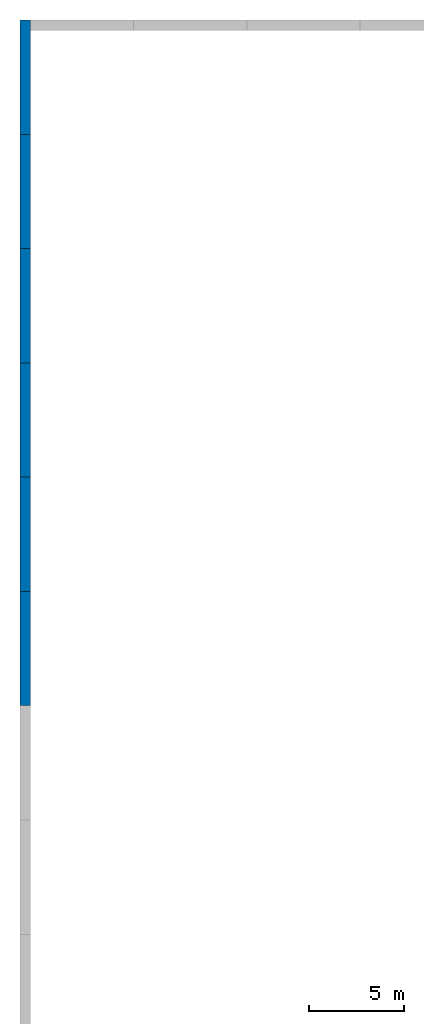
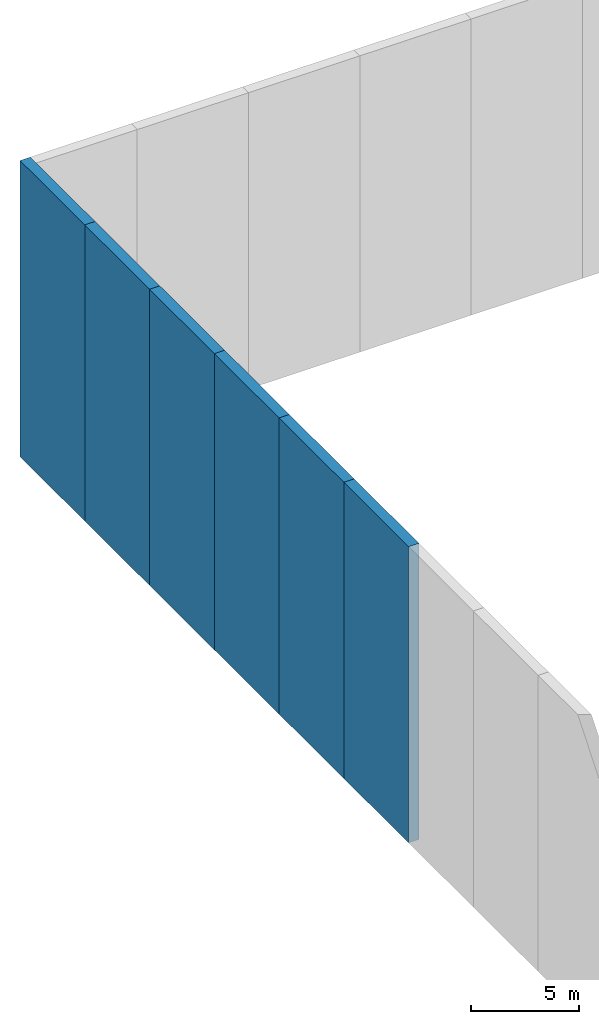
# One storey, part 75 of 142: 6 walls.
"""IFC4 building model written with IfcOpenShell, lengths in metres."""

import ifcopenshell
import ifcopenshell.guid

model = None  # the IFC model being written
_history = None  # IfcOwnerHistory: only IFC2X3 demands one
_inside = {}  # id of a spatial element -> (the spatial element, [elements in it])
_under = {}  # id of a project, library or spatial element -> (it, [spatial elements below it])
_declared = {}  # id of a project -> (the project, [libraries it declares])
_typed = {}  # id of a type object -> (the type object, [elements of that type])
_made_of = {}  # id of a material, layer set ... -> (it, [elements and type objects made of it])


def new_model(schema):
    """Start an empty IFC model of exactly this schema.

    Asked for "IFC4X3", IfcOpenShell would pick the latest addendum, in which some entities
    have other attributes; the version numbers below select the first issue.
    IFC2X3 requires an IfcOwnerHistory on every rooted entity: one is made here for all.
    """
    global model, _history
    if schema == "IFC4X3":
        model = ifcopenshell.file(schema_version=(4, 3, 0, 0))
    else:
        model = ifcopenshell.file(schema=schema)
    _inside.clear()
    _under.clear()
    _declared.clear()
    _typed.clear()
    _made_of.clear()
    _history = None
    if model.schema == "IFC2X3":
        org = make("IfcOrganization", Name="unknown")
        user = make(
            "IfcPersonAndOrganization",
            ThePerson=make("IfcPerson", FamilyName="unknown"),
            TheOrganization=org,
        )
        app = make(
            "IfcApplication",
            ApplicationDeveloper=org,
            Version="unknown",
            ApplicationFullName="unknown",
            ApplicationIdentifier="unknown",
        )
        _history = make(
            "IfcOwnerHistory",
            OwningUser=user,
            OwningApplication=app,
            ChangeAction="ADDED",
            CreationDate=0,
        )
    return model


def make(cls, **values):
    """One entity of the class cls with the attributes given. An attribute that is None is left unset."""
    return model.create_entity(
        cls, **{name: value for name, value in values.items() if value is not None}
    )


def rooted(cls, **values):
    """An entity with a GlobalId (a new one), such as an element, a storey or a relation."""
    return make(cls, GlobalId=ifcopenshell.guid.new(), OwnerHistory=_history, **values)


def si_unit(unit_type, name, prefix=None):
    """IfcSIUnit, for example si_unit("LENGTHUNIT", "METRE", prefix="MILLI")."""
    return make("IfcSIUnit", UnitType=unit_type, Prefix=prefix, Name=name)


def assignment(units):
    """IfcUnitAssignment: the units of a project."""
    return None if units is None else make("IfcUnitAssignment", Units=units)


def point(xyz):
    """IfcCartesianPoint."""
    return None if xyz is None else make("IfcCartesianPoint", Coordinates=xyz)


def direction(xyz):
    """IfcDirection."""
    return None if xyz is None else make("IfcDirection", DirectionRatios=xyz)


def frame(location, z_axis=None, x_axis=None):
    """IfcAxis2Placement3D, a coordinate frame: its origin and axes. An axis left out is left unset."""
    return make(
        "IfcAxis2Placement3D",
        Location=point(location),
        Axis=direction(z_axis),
        RefDirection=direction(x_axis),
    )


def frame_2d(location, x_axis=None):
    """IfcAxis2Placement2D, a coordinate frame in the plane: its origin and x axis."""
    return make(
        "IfcAxis2Placement2D", Location=point(location), RefDirection=direction(x_axis)
    )


def origin():
    """The frame at (0, 0, 0) with its axes left unset."""
    return frame((0.0, 0.0, 0.0))


def place(relative_to, where):
    """IfcLocalPlacement: puts the frame where relative to a parent placement (None: the world)."""
    return make(
        "IfcLocalPlacement", PlacementRelTo=relative_to, RelativePlacement=where
    )


def context(
    kind, dimensions, precision=None, world=None, true_north=None, identifier=None
):
    """IfcGeometricRepresentationContext, for example the 3D "Model" context."""
    return make(
        "IfcGeometricRepresentationContext",
        ContextIdentifier=identifier,
        ContextType=kind,
        CoordinateSpaceDimension=dimensions,
        Precision=precision,
        WorldCoordinateSystem=world,
        TrueNorth=true_north,
    )


def subcontext(parent, identifier, kind, view, scale=None):
    """IfcGeometricRepresentationSubContext, for example "Body" below "Model"."""
    return make(
        "IfcGeometricRepresentationSubContext",
        ContextIdentifier=identifier,
        ContextType=kind,
        ParentContext=parent,
        TargetScale=scale,
        TargetView=view,
    )


def project(units=None, contexts=None):
    """IfcProject with its units and contexts."""
    return rooted(
        "IfcProject",
        Name="project",
        RepresentationContexts=contexts,
        UnitsInContext=assignment(units),
    )


def spatial(cls, under=None, at=None, **own):
    """A site, building, storey or space (cls), placed at a placement, below another one or the project."""
    s = rooted(cls, ObjectPlacement=at, **own)
    if under is not None:
        _under.setdefault(under.id(), (under, []))[1].append(s)
    return s


def profile(cls, at=None, kind="AREA", **sizes):
    """A parametric profile (cls). Its sizes go by their IFC names, for example OverallWidth=200.0."""
    return make(cls, ProfileType=kind, Position=at, **sizes)


def rectangle(**sizes):
    """IfcRectangleProfileDef."""
    return profile("IfcRectangleProfileDef", **sizes)


def extrude(swept, where, along, depth):
    """IfcExtrudedAreaSolid: the profile swept, set in the frame where, extruded along a direction by depth."""
    return make(
        "IfcExtrudedAreaSolid",
        SweptArea=swept,
        Position=where,
        ExtrudedDirection=direction(along),
        Depth=depth,
    )


def shape(context_of_items, identifier, shape_type, items):
    """IfcShapeRepresentation: the items that make up one representation, for example the "Body"."""
    return make(
        "IfcShapeRepresentation",
        ContextOfItems=context_of_items,
        RepresentationIdentifier=identifier,
        RepresentationType=shape_type,
        Items=items,
    )


def material(Name=None, Category=None):
    """IfcMaterial."""
    return make("IfcMaterial", Name=Name, Category=Category)


def layer(
    of_material, thickness, ventilated=None, Name=None, Category=None, Priority=None
):
    """IfcMaterialLayer: one layer of a wall or slab, of a material (None: an air gap)."""
    return make(
        "IfcMaterialLayer",
        Material=of_material,
        LayerThickness=thickness,
        IsVentilated=ventilated,
        Name=Name,
        Category=Category,
        Priority=Priority,
    )


def layer_set(layers, Name=None):
    """IfcMaterialLayerSet."""
    return make("IfcMaterialLayerSet", MaterialLayers=layers, LayerSetName=Name)


def made_of(thing, what):
    """Note that an element or type object is made of a material, layer set ...; save() writes the relation."""
    if what is not None:
        _made_of.setdefault(what.id(), (what, []))[1].append(thing)
    return thing


def type_object(cls, material=None, **own):
    """A type object (cls), such as IfcWallType, which elements share."""
    return made_of(rooted(cls, **own), material)


def element(
    cls,
    number,
    at=None,
    inside=None,
    cuts=None,
    type_object=None,
    material=None,
    context=None,
    identifier="Body",
    shape_type=None,
    held_by="IfcProductDefinitionShape",
    body=None,
    shapes=None,
    **own,
):
    """One element of the class cls, such as IfcWall. Its Tag is "e" and its number.

    at: its placement. inside: the storey or other place that contains it. cuts: it is an
    opening in that element (IfcRelVoidsElement). A single representation is given by context,
    identifier, shape_type and body (its items); several are given by shapes. held_by: the class
    of the entity that holds the representations. save() writes the other relations.
    """
    e = rooted(cls, Tag="e%d" % number, ObjectPlacement=at, **own)
    if body is not None:
        shapes = [shape(context, identifier, shape_type, body)]
    if shapes is not None:
        e.Representation = make(held_by, Representations=shapes)
    if inside is not None:
        _inside.setdefault(inside.id(), (inside, []))[1].append(e)
    if cuts is not None:
        rooted(
            "IfcRelVoidsElement", RelatingBuildingElement=cuts, RelatedOpeningElement=e
        )
    if type_object is not None:
        _typed.setdefault(type_object.id(), (type_object, []))[1].append(e)
    return made_of(e, material)


def aggregate(whole, parts):
    """IfcRelAggregates: a whole, such as a stair, and the parts it consists of."""
    return rooted("IfcRelAggregates", RelatingObject=whole, RelatedObjects=parts)


def save(model, path):
    """Write the relations noted so far, then the file.

    IfcRelAggregates (storeys below a building ...), IfcRelContainedInSpatialStructure (elements
    in a storey), IfcRelDefinesByType, IfcRelAssociatesMaterial and IfcRelDeclares: one each for
    every whole, place, type object, material and project.
    """
    for whole, parts in _under.values():
        aggregate(whole, parts)
    for where, things in _inside.values():
        rooted(
            "IfcRelContainedInSpatialStructure",
            RelatedElements=things,
            RelatingStructure=where,
        )
    for kind, things in _typed.values():
        rooted("IfcRelDefinesByType", RelatedObjects=things, RelatingType=kind)
    for what, things in _made_of.values():
        rooted("IfcRelAssociatesMaterial", RelatedObjects=things, RelatingMaterial=what)
    for by, libraries in _declared.values():
        rooted("IfcRelDeclares", RelatingContext=by, RelatedDefinitions=libraries)
    model.write(path)


model = new_model("IFC4")

# Units and contexts
model_context = context("Model", 3, precision=1e-05, world=origin(), true_north=direction((0.0, 1.0)))
body_context = subcontext(model_context, "Body", "Model", "MODEL_VIEW")
ifc_project = project(units=[si_unit("LENGTHUNIT", "METRE"), si_unit("AREAUNIT", "SQUARE_METRE"), si_unit("VOLUMEUNIT", "CUBIC_METRE"), si_unit("PLANEANGLEUNIT", "RADIAN"), si_unit("MASSUNIT", "GRAM", prefix="KILO")], contexts=[model_context])

# Site, building, storey
site_placement = place(None, origin())
site = spatial("IfcSite", under=ifc_project, at=site_placement, CompositionType="ELEMENT")
building_placement = place(site_placement, origin())
building = spatial("IfcBuilding", under=site, at=building_placement, Name="Meseta Stadium", CompositionType="ELEMENT")
storey_placement = place(building_placement, frame((0.0, 0.0, -4.0)))
storey = spatial("IfcBuildingStorey", under=building, at=storey_placement, Name="B1", CompositionType="ELEMENT", Elevation=-4.0)

# Walls
ifc_material = material(Name="Concrete C30/37", Category="concrete")
ifc_layer = layer(ifc_material, 0.550048828125)
ifc_layer_set = layer_set([ifc_layer], Name="Site retaining wall 550")
wall_type = type_object("IfcWallType", Name="Site retaining wall 550", PredefinedType="SOLIDWALL", material=ifc_layer_set)
for number, where, z_axis, x_axis, name in (
    (1, (-135.72509765625, 139.99951171875, -13.0), (0.0, 0.0, 1.0), (0.0, -1.0, 0.0), "Site retaining wall 144"),
    (2, (-135.72509765625, 133.99951171875, -13.0), (0.0, 0.0, 1.0), (0.0, -1.0, 0.0), "Site retaining wall 145"),
    (3, (-135.72509765625, 127.99951171875, -13.0), (0.0, 0.0, 1.0), (0.0, -1.0, 0.0), "Site retaining wall 146"),
    (4, (-135.72509765625, 121.99951171875, -13.0), (0.0, 0.0, 1.0), (0.0, -1.0, 0.0), "Site retaining wall 147"),
    (5, (-135.72509765625, 115.99951171875, -13.0), (0.0, 0.0, 1.0), (0.0, -1.0, 0.0), "Site retaining wall 148"),
    (6, (-135.72509765625, 109.99951171875, -13.0), (0.0, 0.0, 1.0), (0.0, -1.0, 0.0), "Site retaining wall 149"),
):
    element("IfcWall", number, at=place(storey_placement, frame(where, z_axis=z_axis, x_axis=x_axis)), inside=storey, type_object=wall_type, Name=name, PredefinedType="SOLIDWALL", context=body_context, shape_type="SweptSolid", body=[
        extrude(rectangle(XDim=6.0, YDim=0.550048828125, at=frame_2d((3.0, 0.0))), origin(), (0.0, 0.0, 1.0), 16.75),
    ])

save(model, "model.ifc")
